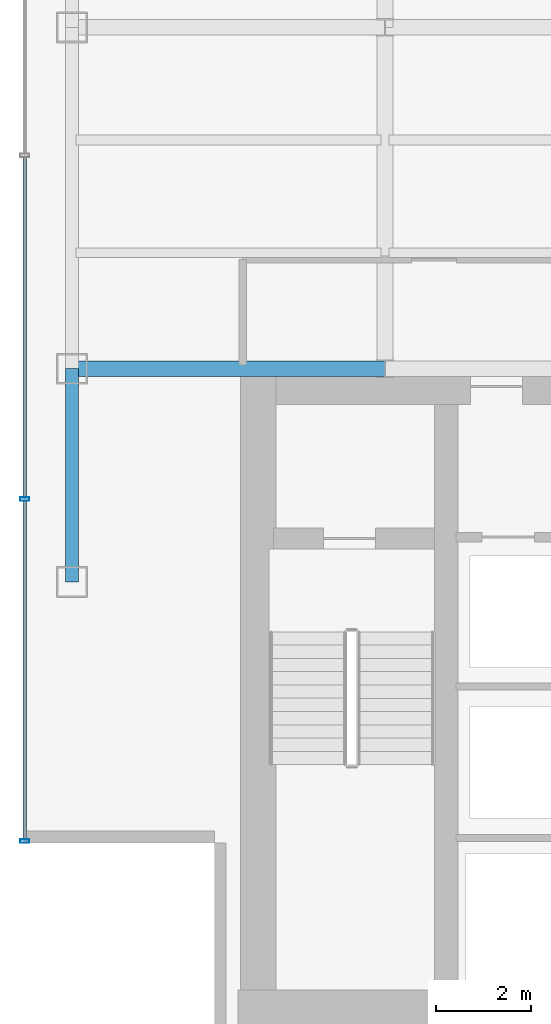
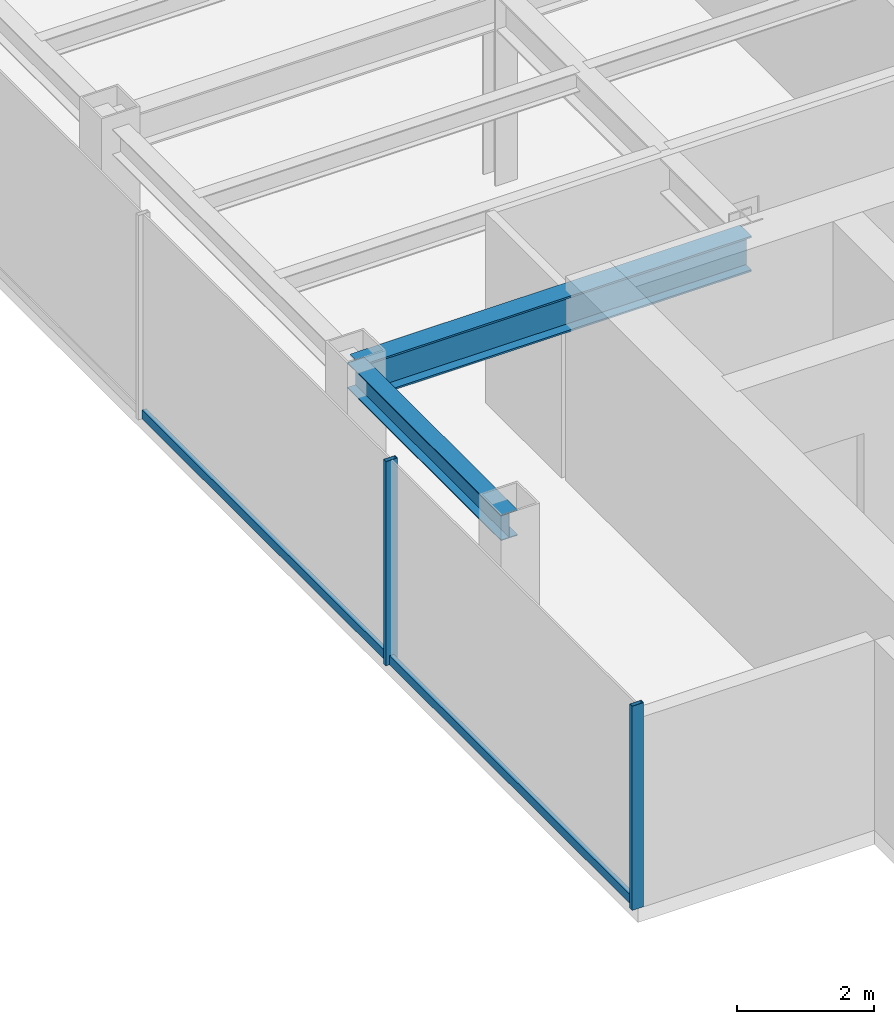
# One storey, part 3 of 25: 4 members, 2 beams, 1 element without a shape of its own.
"""IFC4 building model written with IfcOpenShell, lengths in metres."""

from ifc_helpers import new_model, si_unit, derived_unit, direction, frame, origin, origin_2d, place, context, subcontext, project, spatial, hollow_rectangle, i_section, extrude, source, transform, mapped, material, material_profile, profile_set, type_object, element, aggregate, save


model = new_model("IFC4")

# Units and contexts
model_context = context("Model", 3, precision=1e-05, world=origin(), true_north=direction((0.0, 1.0)))
body_context = subcontext(model_context, "Body", "Model", "MODEL_VIEW")
ifc_project = project(units=[si_unit("LENGTHUNIT", "METRE"), si_unit("AREAUNIT", "SQUARE_METRE"), si_unit("VOLUMEUNIT", "CUBIC_METRE"), si_unit("PLANEANGLEUNIT", "RADIAN"), si_unit("MASSUNIT", "GRAM", prefix="KILO"), derived_unit("THERMALTRANSMITTANCEUNIT", [(si_unit("POWERUNIT", "WATT"), 1), (si_unit("LENGTHUNIT", "METRE"), -2), (si_unit("THERMODYNAMICTEMPERATUREUNIT", "KELVIN"), -1)])], contexts=[model_context])

# Site, building, storey
site_placement = place(None, origin())
site = spatial("IfcSite", under=ifc_project, at=site_placement, CompositionType="ELEMENT")
building_placement = place(site_placement, origin())
building = spatial("IfcBuilding", under=site, at=building_placement, Name="Skarnbrae Concourse Arena and Tower", CompositionType="ELEMENT")
storey_placement = place(building_placement, frame((0.0, 0.0, 166.14990234375)))
storey = spatial("IfcBuildingStorey", under=building, at=storey_placement, Name="L42", CompositionType="ELEMENT", Elevation=166.14990234375)

# Beams
ifc_material_1 = material(Name="Steel CSA G40.21 350W", Category="steel")
ifc_material_profile_1 = material_profile(ifc_material_1, i_section(OverallWidth=0.3291015625, OverallDepth=0.635009765625, WebThickness=0.017822265625, FlangeThickness=0.031005859375, at=origin_2d()), Name="W610X241")
ifc_profile_set_1 = profile_set([ifc_material_profile_1], Name="Steel CSA G40.21 350W")
beam_type_1 = type_object("IfcBeamType", Name="BM-GIRD-W610X241", PredefinedType="BEAM", material=ifc_profile_set_1)
shared_shape_1 = source(origin(), body_context, "Body", "SweptSolid", [
    extrude(i_section(OverallWidth=0.3291015625, OverallDepth=0.635009765625, WebThickness=0.017822265625, FlangeThickness=0.031005859375, at=origin_2d()), origin(), (0.0, 0.0, 1.0), 6.60009765625),
])
beam_1_placement = place(storey_placement, frame((1.0, 14.0, 3.08251953125), z_axis=(1.0, 0.0, 0.0), x_axis=(0.0, 1.0, 0.0)))
element("IfcBeam", 1, at=beam_1_placement, inside=storey, type_object=beam_type_1, Name="L42 Primary E-W girder Y14.0-1", PredefinedType="BEAM", context=body_context, shape_type="MappedRepresentation", body=[
    mapped(shared_shape_1, transform((0.0, 0.0, 0.0))),
])
ifc_material_profile_2 = material_profile(ifc_material_1, i_section(OverallWidth=0.280029296875, OverallDepth=0.462890625, WebThickness=0.0107421875, FlangeThickness=0.017333984375, at=origin_2d()), Name="W460X113")
ifc_profile_set_2 = profile_set([ifc_material_profile_2], Name="Steel CSA G40.21 350W")
beam_type_2 = type_object("IfcBeamType", Name="BM-SPAN-W460X113", PredefinedType="SPANDREL", material=ifc_profile_set_2)
shared_shape_2 = source(origin(), body_context, "Body", "SweptSolid", [
    extrude(i_section(OverallWidth=0.280029296875, OverallDepth=0.462890625, WebThickness=0.0107421875, FlangeThickness=0.017333984375, at=origin_2d()), origin(), (0.0, 0.0, 1.0), 4.5),
])
beam_2_placement = place(storey_placement, frame((1.0, 9.5, 3.168701171875), z_axis=(0.0, 1.0, 0.0), x_axis=(-1.0, 0.0, 0.0)))
element("IfcBeam", 2, at=beam_2_placement, inside=storey, type_object=beam_type_2, Name="L42 Perimeter spandrel X1.0-1", PredefinedType="SPANDREL", context=body_context, shape_type="MappedRepresentation", body=[
    mapped(shared_shape_2, transform((0.0, 0.0, 0.0))),
])

# Curtain wall, members
ifc_material_2 = material(Name="Bronze anodised aluminium 6063-T6", Category="aluminium")
curtain_wall_type = type_object("IfcCurtainWallType", Name="CW-SYS-04-MIDZONE", PredefinedType="USERDEFINED", material=ifc_material_2)
curtain_wall_placement = place(storey_placement, origin())
curtain_wall = element("IfcCurtainWall", 3, at=curtain_wall_placement, inside=storey, type_object=curtain_wall_type, Name="L42 Unitised curtain wall CW-L42-E18", ObjectType="UNITISED CURTAIN WALL", PredefinedType="USERDEFINED")
ifc_material_profile_3 = material_profile(ifc_material_2, hollow_rectangle(XDim=0.074951171875, YDim=0.195068359375, WallThickness=0.00439453125, at=origin_2d()), Name="ALU-MULL-75X195")
ifc_profile_set_3 = profile_set([ifc_material_profile_3], Name="Bronze anodised aluminium 6063-T6")
member_type_1 = type_object("IfcMemberType", Name="CWM-CW-04", PredefinedType="MULLION", material=ifc_profile_set_3)
shared_shape_3 = source(origin(), body_context, "Body", "SweptSolid", [
    extrude(hollow_rectangle(XDim=0.074951171875, YDim=0.195068359375, WallThickness=0.00439453125, at=origin_2d()), origin(), (0.0, 0.0, 1.0), 3.650146484375),
])
member_1_placement = place(storey_placement, frame((0.0, 11.25, 0.0), z_axis=(0.0, 0.0, 1.0), x_axis=(0.0, -1.0, 0.0)))
member_1 = element("IfcMember", 4, at=member_1_placement, type_object=member_type_1, Name="CW-L42-E18 Mullion 4", PredefinedType="MULLION", context=body_context, shape_type="MappedRepresentation", body=[
    mapped(shared_shape_3, transform((0.0, 0.0, 0.0))),
])
member_2_placement = place(storey_placement, frame((0.0, 4.03759765625, 0.0), z_axis=(0.0, 0.0, 1.0), x_axis=(0.0, -1.0, 0.0)))
member_2 = element("IfcMember", 5, at=member_2_placement, type_object=member_type_1, Name="CW-L42-E18 Mullion 5", PredefinedType="MULLION", context=body_context, shape_type="MappedRepresentation", body=[
    mapped(shared_shape_3, transform((0.0, 0.0, 0.0))),
])
ifc_material_profile_4 = material_profile(ifc_material_2, hollow_rectangle(XDim=0.074951171875, YDim=0.159912109375, WallThickness=0.00439453125, at=origin_2d()), Name="ALU-TRAN-75X160")
ifc_profile_set_4 = profile_set([ifc_material_profile_4], Name="Bronze anodised aluminium 6063-T6")
member_type_2 = type_object("IfcMemberType", Name="CWT-CW-04", PredefinedType="USERDEFINED", material=ifc_profile_set_4)
shared_shape_4 = source(origin(), body_context, "Body", "SweptSolid", [
    extrude(hollow_rectangle(XDim=0.074951171875, YDim=0.159912109375, WallThickness=0.00439453125, at=origin_2d()), origin(), (0.0, 0.0, 1.0), 7.137451171875),
])
member_3_placement = place(storey_placement, frame((0.0, 11.21240234375, 0.080078125), z_axis=(0.0, -1.0, 0.0), x_axis=(1.0, 0.0, 0.0)))
member_3 = element("IfcMember", 6, at=member_3_placement, type_object=member_type_2, Name="CW-L42-E18 Transom 4", ObjectType="TRANSOM", PredefinedType="USERDEFINED", context=body_context, shape_type="MappedRepresentation", body=[
    mapped(shared_shape_4, transform((0.0, 0.0, 0.0))),
])
shared_shape_5 = source(origin(), body_context, "Body", "SweptSolid", [
    extrude(hollow_rectangle(XDim=0.074951171875, YDim=0.159912109375, WallThickness=0.00439453125, at=origin_2d()), origin(), (0.0, 0.0, 1.0), 7.1748046875),
])
member_4_placement = place(storey_placement, frame((0.0, 18.46240234375, 0.080078125), z_axis=(0.0, -1.0, 0.0), x_axis=(1.0, 0.0, 0.0)))
member_4 = element("IfcMember", 7, at=member_4_placement, type_object=member_type_2, Name="CW-L42-E18 Transom 3", ObjectType="TRANSOM", PredefinedType="USERDEFINED", context=body_context, shape_type="MappedRepresentation", body=[
    mapped(shared_shape_5, transform((0.0, 0.0, 0.0))),
])
aggregate(curtain_wall, [member_1, member_2, member_4, member_3])

save(model, "model.ifc")
